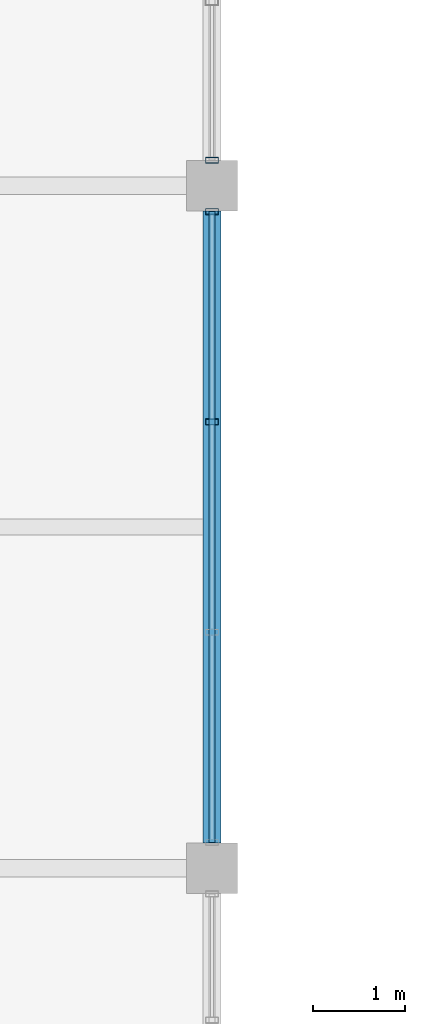
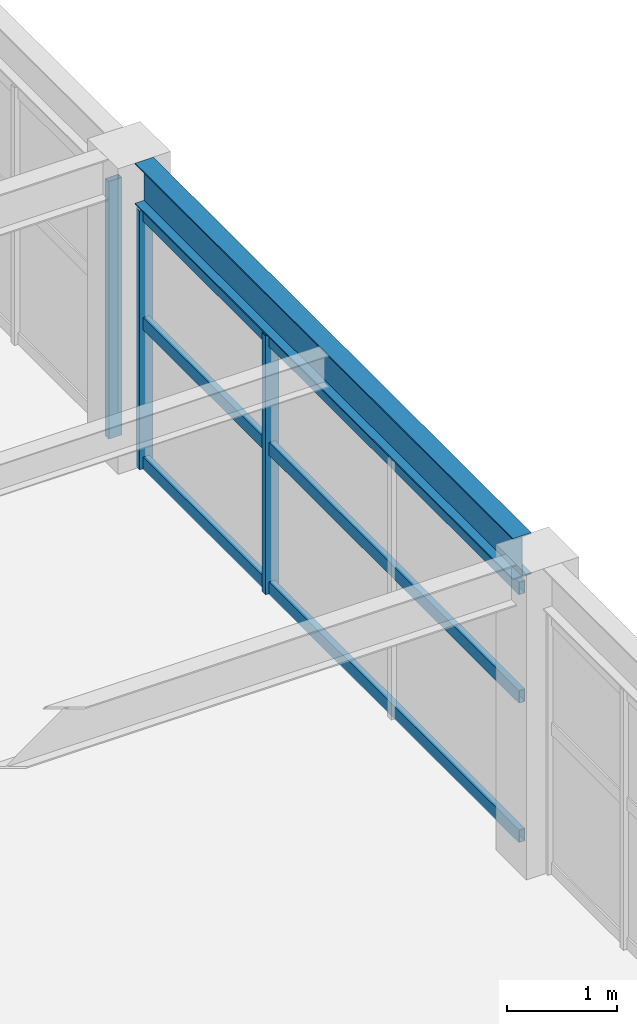
# One storey, part 16 of 93: 6 members, 1 beam, 2 elements without a shape of their own.
"""IFC4 building model written with IfcOpenShell, lengths in metres."""

from ifc_helpers import new_model, si_unit, direction, frame, origin, origin_2d, place, context, subcontext, project, spatial, hollow_rectangle, i_section, extrude, material, material_profile, profile_set, type_object, element, aggregate, save


model = new_model("IFC4")

# Units and contexts
model_context = context("Model", 3, precision=1e-05, world=origin(), true_north=direction((0.0, 1.0)))
body_context = subcontext(model_context, "Body", "Model", "MODEL_VIEW")
ifc_project = project(units=[si_unit("LENGTHUNIT", "METRE"), si_unit("AREAUNIT", "SQUARE_METRE"), si_unit("VOLUMEUNIT", "CUBIC_METRE"), si_unit("PLANEANGLEUNIT", "RADIAN"), si_unit("MASSUNIT", "GRAM", prefix="KILO")], contexts=[model_context])

# Site, building, storey
site_placement = place(None, origin())
site = spatial("IfcSite", under=ifc_project, at=site_placement, CompositionType="ELEMENT")
building_placement = place(site_placement, origin())
building = spatial("IfcBuilding", under=site, at=building_placement, Name="Cimatlan Art Gallery", CompositionType="ELEMENT")
storey_placement = place(building_placement, frame((0.0, 0.0, 13.800048828125)))
storey = spatial("IfcBuildingStorey", under=building, at=storey_placement, Name="L03", CompositionType="ELEMENT", Elevation=13.800048828125)

# Beam
ifc_material_1 = material(Name="Steel ASTM A992 Grade 50", Category="steel")
ifc_material_profile_1 = material_profile(ifc_material_1, i_section(OverallWidth=0.19091796875, OverallDepth=0.45703125, WebThickness=0.009033203125, FlangeThickness=0.014404296875, at=origin_2d()), Name="W18X50")
ifc_profile_set_1 = profile_set([ifc_material_profile_1], Name="Steel ASTM A992 Grade 50")
beam_type = type_object("IfcBeamType", Name="BM-STL-W18X50", PredefinedType="BEAM", material=ifc_profile_set_1)
beam_placement = place(storey_placement, frame((50.60009765625, 46.375, 3.1513671875), z_axis=(0.0, 1.0, 0.0), x_axis=(-1.0, 0.0, 0.0)))
element("IfcBeam", 1, at=beam_placement, inside=storey, type_object=beam_type, Name="BM-Y-L03-06-06", PredefinedType="BEAM", context=body_context, shape_type="SweptSolid", body=[
    extrude(i_section(OverallWidth=0.19091796875, OverallDepth=0.45703125, WebThickness=0.009033203125, FlangeThickness=0.014404296875, at=origin_2d()), origin(), (0.0, 0.0, 1.0), 6.85009765625),
])

# Curtain wall, members
ifc_material_2 = material(Name="Anodised bronze unitised curtain wall")
curtain_wall_type_1 = type_object("IfcCurtainWallType", Name="CW-V-06842X02863-B3", PredefinedType="NOTDEFINED", material=ifc_material_2)
curtain_wall_1_placement = place(storey_placement, origin())
curtain_wall_1 = element("IfcCurtainWall", 2, at=curtain_wall_1_placement, inside=storey, type_object=curtain_wall_type_1, Name="CW-L03-05-06-E", PredefinedType="NOTDEFINED")
ifc_material_3 = material(Name="Anodised bronze aluminium 6063-T6", Category="aluminium")
ifc_material_profile_2 = material_profile(ifc_material_3, hollow_rectangle(XDim=0.06494140625, YDim=0.139892578125, WallThickness=0.00390625, at=origin_2d()), Name="ALU65X140X4")
ifc_profile_set_2 = profile_set([ifc_material_profile_2], Name="Anodised bronze aluminium 6063-T6")
member_type_1 = type_object("IfcMemberType", Name="CW-MUL-140", PredefinedType="MULLION", material=ifc_profile_set_2)
member_1_placement = place(storey_placement, frame((50.60009765625, 53.220947265625, 0.0), z_axis=(0.0, 0.0, 1.0), x_axis=(0.0, 1.0, 0.0)))
member_1 = element("IfcMember", 3, at=member_1_placement, type_object=member_type_1, Name="CW-L03-05-06-E-M1", PredefinedType="MULLION", context=body_context, shape_type="SweptSolid", body=[
    extrude(hollow_rectangle(XDim=0.06494140625, YDim=0.139892578125, WallThickness=0.00390625, at=origin_2d()), origin(), (0.0, 0.0, 1.0), 2.863037109375),
])
member_2_placement = place(storey_placement, frame((50.60009765625, 50.9404296875, 0.0), z_axis=(0.0, 0.0, 1.0), x_axis=(0.0, 1.0, 0.0)))
member_2 = element("IfcMember", 4, at=member_2_placement, type_object=member_type_1, Name="CW-L03-05-06-E-M2", PredefinedType="MULLION", context=body_context, shape_type="SweptSolid", body=[
    extrude(hollow_rectangle(XDim=0.06494140625, YDim=0.139892578125, WallThickness=0.00390625, at=origin_2d()), origin(), (0.0, 0.0, 1.0), 2.863037109375),
])

# Curtain wall, member
curtain_wall_type_2 = type_object("IfcCurtainWallType", Name="CW-V-06842X02848-B4", PredefinedType="NOTDEFINED", material=ifc_material_2)
curtain_wall_2_placement = place(storey_placement, origin())
curtain_wall_2 = element("IfcCurtainWall", 5, at=curtain_wall_2_placement, inside=storey, type_object=curtain_wall_type_2, Name="CW-L03-05-07-E", PredefinedType="NOTDEFINED")
member_3_placement = place(storey_placement, frame((50.60009765625, 53.779052734375, 0.0), z_axis=(0.0, 0.0, 1.0), x_axis=(0.0, 1.0, 0.0)))
member_3 = element("IfcMember", 6, at=member_3_placement, type_object=member_type_1, Name="CW-L03-05-07-E-M5", PredefinedType="MULLION", context=body_context, shape_type="SweptSolid", body=[
    extrude(hollow_rectangle(XDim=0.06494140625, YDim=0.139892578125, WallThickness=0.00390625, at=origin_2d()), origin(), (0.0, 0.0, 1.0), 2.847900390625),
])
aggregate(curtain_wall_2, [member_3])

# Member
ifc_material_profile_3 = material_profile(ifc_material_3, hollow_rectangle(XDim=0.06494140625, YDim=0.139892578125, WallThickness=0.00390625, at=origin_2d()), Name="ALU65X140X4")
ifc_profile_set_3 = profile_set([ifc_material_profile_3], Name="Anodised bronze aluminium 6063-T6")
member_type_2 = type_object("IfcMemberType", Name="CW-TRN-140", PredefinedType="USERDEFINED", material=ifc_profile_set_3)
member_4_placement = place(storey_placement, frame((50.60009765625, 53.220947265625, 0.06005859375), z_axis=(0.0, -1.0, 0.0), x_axis=(1.0, 0.0, 0.0)))
member_4 = element("IfcMember", 7, at=member_4_placement, type_object=member_type_2, Name="CW-L03-05-06-E-T1", ObjectType="TRANSOM", PredefinedType="USERDEFINED", context=body_context, shape_type="SweptSolid", body=[
    extrude(hollow_rectangle(XDim=0.06494140625, YDim=0.139892578125, WallThickness=0.00390625, at=origin_2d()), origin(), (0.0, 0.0, 1.0), 6.842041015625),
])

member_5_placement = place(storey_placement, frame((50.60009765625, 53.220947265625, 1.603271484375), z_axis=(0.0, -1.0, 0.0), x_axis=(1.0, 0.0, 0.0)))
member_5 = element("IfcMember", 8, at=member_5_placement, type_object=member_type_2, Name="CW-L03-05-06-E-T2", ObjectType="TRANSOM", PredefinedType="USERDEFINED", context=body_context, shape_type="SweptSolid", body=[
    extrude(hollow_rectangle(XDim=0.06494140625, YDim=0.139892578125, WallThickness=0.00390625, at=origin_2d()), origin(), (0.0, 0.0, 1.0), 6.842041015625),
])

member_6_placement = place(storey_placement, frame((50.60009765625, 53.220947265625, 2.802978515625), z_axis=(0.0, -1.0, 0.0), x_axis=(1.0, 0.0, 0.0)))
member_6 = element("IfcMember", 9, at=member_6_placement, type_object=member_type_2, Name="CW-L03-05-06-E-T3", ObjectType="TRANSOM", PredefinedType="USERDEFINED", context=body_context, shape_type="SweptSolid", body=[
    extrude(hollow_rectangle(XDim=0.06494140625, YDim=0.139892578125, WallThickness=0.00390625, at=origin_2d()), origin(), (0.0, 0.0, 1.0), 6.842041015625),
])

aggregate(curtain_wall_1, [member_1, member_2, member_4, member_5, member_6])

save(model, "model.ifc")
